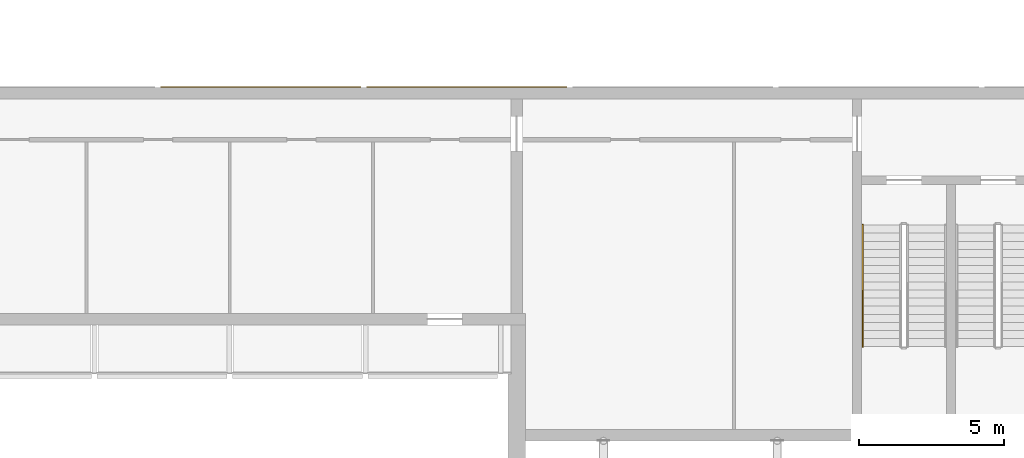
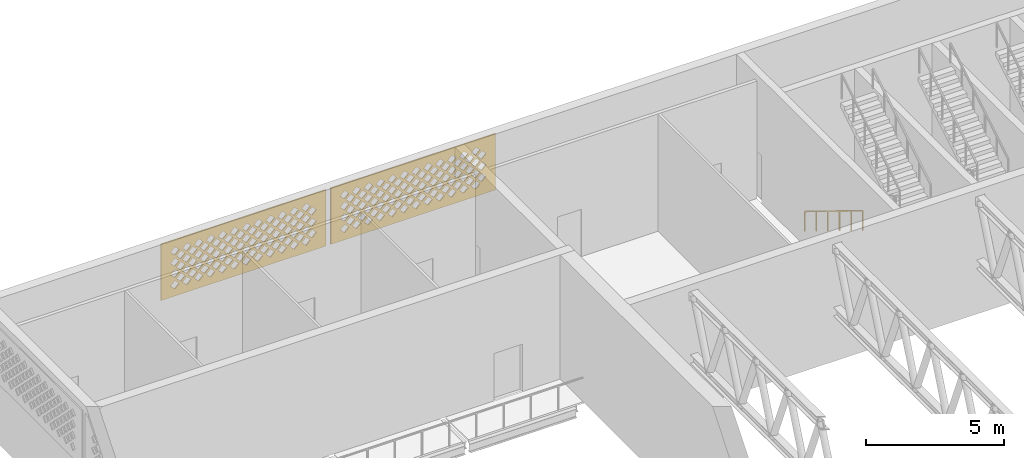
# One storey, part 41 of 69: 2 coverings, 1 railing.
"""IFC4 building model written with IfcOpenShell, lengths in metres."""

import ifcopenshell
import ifcopenshell.guid

model = None  # the IFC model being written
_history = None  # IfcOwnerHistory: only IFC2X3 demands one
_inside = {}  # id of a spatial element -> (the spatial element, [elements in it])
_under = {}  # id of a project, library or spatial element -> (it, [spatial elements below it])
_declared = {}  # id of a project -> (the project, [libraries it declares])
_typed = {}  # id of a type object -> (the type object, [elements of that type])
_made_of = {}  # id of a material, layer set ... -> (it, [elements and type objects made of it])


def new_model(schema):
    """Start an empty IFC model of exactly this schema.

    Asked for "IFC4X3", IfcOpenShell would pick the latest addendum, in which some entities
    have other attributes; the version numbers below select the first issue.
    IFC2X3 requires an IfcOwnerHistory on every rooted entity: one is made here for all.
    """
    global model, _history
    if schema == "IFC4X3":
        model = ifcopenshell.file(schema_version=(4, 3, 0, 0))
    else:
        model = ifcopenshell.file(schema=schema)
    _inside.clear()
    _under.clear()
    _declared.clear()
    _typed.clear()
    _made_of.clear()
    _history = None
    if model.schema == "IFC2X3":
        org = make("IfcOrganization", Name="unknown")
        user = make(
            "IfcPersonAndOrganization",
            ThePerson=make("IfcPerson", FamilyName="unknown"),
            TheOrganization=org,
        )
        app = make(
            "IfcApplication",
            ApplicationDeveloper=org,
            Version="unknown",
            ApplicationFullName="unknown",
            ApplicationIdentifier="unknown",
        )
        _history = make(
            "IfcOwnerHistory",
            OwningUser=user,
            OwningApplication=app,
            ChangeAction="ADDED",
            CreationDate=0,
        )
    return model


def make(cls, **values):
    """One entity of the class cls with the attributes given. An attribute that is None is left unset."""
    return model.create_entity(
        cls, **{name: value for name, value in values.items() if value is not None}
    )


def rooted(cls, **values):
    """An entity with a GlobalId (a new one), such as an element, a storey or a relation."""
    return make(cls, GlobalId=ifcopenshell.guid.new(), OwnerHistory=_history, **values)


def si_unit(unit_type, name, prefix=None):
    """IfcSIUnit, for example si_unit("LENGTHUNIT", "METRE", prefix="MILLI")."""
    return make("IfcSIUnit", UnitType=unit_type, Prefix=prefix, Name=name)


def assignment(units):
    """IfcUnitAssignment: the units of a project."""
    return None if units is None else make("IfcUnitAssignment", Units=units)


def point(xyz):
    """IfcCartesianPoint."""
    return None if xyz is None else make("IfcCartesianPoint", Coordinates=xyz)


def direction(xyz):
    """IfcDirection."""
    return None if xyz is None else make("IfcDirection", DirectionRatios=xyz)


def frame(location, z_axis=None, x_axis=None):
    """IfcAxis2Placement3D, a coordinate frame: its origin and axes. An axis left out is left unset."""
    return make(
        "IfcAxis2Placement3D",
        Location=point(location),
        Axis=direction(z_axis),
        RefDirection=direction(x_axis),
    )


def frame_2d(location, x_axis=None):
    """IfcAxis2Placement2D, a coordinate frame in the plane: its origin and x axis."""
    return make(
        "IfcAxis2Placement2D", Location=point(location), RefDirection=direction(x_axis)
    )


def origin():
    """The frame at (0, 0, 0) with its axes left unset."""
    return frame((0.0, 0.0, 0.0))


def origin_2d():
    """The frame at (0, 0) in the plane with its x axis left unset."""
    return frame_2d((0.0, 0.0))


def place(relative_to, where):
    """IfcLocalPlacement: puts the frame where relative to a parent placement (None: the world)."""
    return make(
        "IfcLocalPlacement", PlacementRelTo=relative_to, RelativePlacement=where
    )


def context(
    kind, dimensions, precision=None, world=None, true_north=None, identifier=None
):
    """IfcGeometricRepresentationContext, for example the 3D "Model" context."""
    return make(
        "IfcGeometricRepresentationContext",
        ContextIdentifier=identifier,
        ContextType=kind,
        CoordinateSpaceDimension=dimensions,
        Precision=precision,
        WorldCoordinateSystem=world,
        TrueNorth=true_north,
    )


def subcontext(parent, identifier, kind, view, scale=None):
    """IfcGeometricRepresentationSubContext, for example "Body" below "Model"."""
    return make(
        "IfcGeometricRepresentationSubContext",
        ContextIdentifier=identifier,
        ContextType=kind,
        ParentContext=parent,
        TargetScale=scale,
        TargetView=view,
    )


def project(units=None, contexts=None):
    """IfcProject with its units and contexts."""
    return rooted(
        "IfcProject",
        Name="project",
        RepresentationContexts=contexts,
        UnitsInContext=assignment(units),
    )


def spatial(cls, under=None, at=None, **own):
    """A site, building, storey or space (cls), placed at a placement, below another one or the project."""
    s = rooted(cls, ObjectPlacement=at, **own)
    if under is not None:
        _under.setdefault(under.id(), (under, []))[1].append(s)
    return s


def polyline(points):
    """IfcPolyline through the points."""
    return make("IfcPolyline", Points=[point(p) for p in points])


def profile(cls, at=None, kind="AREA", **sizes):
    """A parametric profile (cls). Its sizes go by their IFC names, for example OverallWidth=200.0."""
    return make(cls, ProfileType=kind, Position=at, **sizes)


def rectangle(**sizes):
    """IfcRectangleProfileDef."""
    return profile("IfcRectangleProfileDef", **sizes)


def outline(outer, holes=None, kind="AREA"):
    """IfcArbitraryClosedProfileDef: a profile drawn as a closed curve; with holes, ...WithVoids."""
    if holes is None:
        return make("IfcArbitraryClosedProfileDef", ProfileType=kind, OuterCurve=outer)
    return make(
        "IfcArbitraryProfileDefWithVoids",
        ProfileType=kind,
        OuterCurve=outer,
        InnerCurves=holes,
    )


def extrude(swept, where, along, depth):
    """IfcExtrudedAreaSolid: the profile swept, set in the frame where, extruded along a direction by depth."""
    return make(
        "IfcExtrudedAreaSolid",
        SweptArea=swept,
        Position=where,
        ExtrudedDirection=direction(along),
        Depth=depth,
    )


def shape(context_of_items, identifier, shape_type, items):
    """IfcShapeRepresentation: the items that make up one representation, for example the "Body"."""
    return make(
        "IfcShapeRepresentation",
        ContextOfItems=context_of_items,
        RepresentationIdentifier=identifier,
        RepresentationType=shape_type,
        Items=items,
    )


def material(Name=None, Category=None):
    """IfcMaterial."""
    return make("IfcMaterial", Name=Name, Category=Category)


def layer(
    of_material, thickness, ventilated=None, Name=None, Category=None, Priority=None
):
    """IfcMaterialLayer: one layer of a wall or slab, of a material (None: an air gap)."""
    return make(
        "IfcMaterialLayer",
        Material=of_material,
        LayerThickness=thickness,
        IsVentilated=ventilated,
        Name=Name,
        Category=Category,
        Priority=Priority,
    )


def layer_set(layers, Name=None):
    """IfcMaterialLayerSet."""
    return make("IfcMaterialLayerSet", MaterialLayers=layers, LayerSetName=Name)


def made_of(thing, what):
    """Note that an element or type object is made of a material, layer set ...; save() writes the relation."""
    if what is not None:
        _made_of.setdefault(what.id(), (what, []))[1].append(thing)
    return thing


def type_object(cls, material=None, **own):
    """A type object (cls), such as IfcWallType, which elements share."""
    return made_of(rooted(cls, **own), material)


def element(
    cls,
    number,
    at=None,
    inside=None,
    cuts=None,
    type_object=None,
    material=None,
    context=None,
    identifier="Body",
    shape_type=None,
    held_by="IfcProductDefinitionShape",
    body=None,
    shapes=None,
    **own,
):
    """One element of the class cls, such as IfcWall. Its Tag is "e" and its number.

    at: its placement. inside: the storey or other place that contains it. cuts: it is an
    opening in that element (IfcRelVoidsElement). A single representation is given by context,
    identifier, shape_type and body (its items); several are given by shapes. held_by: the class
    of the entity that holds the representations. save() writes the other relations.
    """
    e = rooted(cls, Tag="e%d" % number, ObjectPlacement=at, **own)
    if body is not None:
        shapes = [shape(context, identifier, shape_type, body)]
    if shapes is not None:
        e.Representation = make(held_by, Representations=shapes)
    if inside is not None:
        _inside.setdefault(inside.id(), (inside, []))[1].append(e)
    if cuts is not None:
        rooted(
            "IfcRelVoidsElement", RelatingBuildingElement=cuts, RelatedOpeningElement=e
        )
    if type_object is not None:
        _typed.setdefault(type_object.id(), (type_object, []))[1].append(e)
    return made_of(e, material)


def aggregate(whole, parts):
    """IfcRelAggregates: a whole, such as a stair, and the parts it consists of."""
    return rooted("IfcRelAggregates", RelatingObject=whole, RelatedObjects=parts)


def save(model, path):
    """Write the relations noted so far, then the file.

    IfcRelAggregates (storeys below a building ...), IfcRelContainedInSpatialStructure (elements
    in a storey), IfcRelDefinesByType, IfcRelAssociatesMaterial and IfcRelDeclares: one each for
    every whole, place, type object, material and project.
    """
    for whole, parts in _under.values():
        aggregate(whole, parts)
    for where, things in _inside.values():
        rooted(
            "IfcRelContainedInSpatialStructure",
            RelatedElements=things,
            RelatingStructure=where,
        )
    for kind, things in _typed.values():
        rooted("IfcRelDefinesByType", RelatedObjects=things, RelatingType=kind)
    for what, things in _made_of.values():
        rooted("IfcRelAssociatesMaterial", RelatedObjects=things, RelatingMaterial=what)
    for by, libraries in _declared.values():
        rooted("IfcRelDeclares", RelatingContext=by, RelatedDefinitions=libraries)
    model.write(path)


model = new_model("IFC4")

# Units and contexts
model_context = context("Model", 3, precision=1e-05, world=origin(), true_north=direction((0.0, 1.0)))
body_context = subcontext(model_context, "Body", "Model", "MODEL_VIEW")
ifc_project = project(units=[si_unit("LENGTHUNIT", "METRE"), si_unit("AREAUNIT", "SQUARE_METRE"), si_unit("VOLUMEUNIT", "CUBIC_METRE"), si_unit("PLANEANGLEUNIT", "RADIAN"), si_unit("MASSUNIT", "GRAM", prefix="KILO")], contexts=[model_context])

# Site, building, storey
site_placement = place(None, origin())
site = spatial("IfcSite", under=ifc_project, at=site_placement, CompositionType="ELEMENT")
building_placement = place(site_placement, origin())
building = spatial("IfcBuilding", under=site, at=building_placement, Name="Noorbagh Ring Tower", CompositionType="ELEMENT")
storey_placement = place(building_placement, frame((0.0, 0.0, 19.5)))
storey = spatial("IfcBuildingStorey", under=building, at=storey_placement, Name="L03", CompositionType="ELEMENT", Elevation=19.5)

# Coverings
ifc_material_1 = material(Name="Red sandstone jali", Category="masonry")
ifc_layer = layer(ifc_material_1, 0.0400390625)
ifc_layer_set = layer_set([ifc_layer], Name="Red sandstone jali")
covering_type = type_object("IfcCoveringType", Name="STH-BAND", PredefinedType="USERDEFINED", material=ifc_layer_set)
covering_1_placement = place(storey_placement, frame((-138.2666015625, 31.0400390625, 2.699951171875), z_axis=(0.0, 1.0, 0.0), x_axis=(-1.0, 0.0, 0.0)))
element("IfcCovering", 1, at=covering_1_placement, inside=storey, type_object=covering_type, Name="Jali band", ObjectType="JALI SCREEN", PredefinedType="USERDEFINED", context=body_context, shape_type="SweptSolid", body=[
    extrude(outline(polyline([(0.0, 0.0), (6.9111328125, 0.0), (6.9111328125, 2.5), (0.0, 2.5), (0.0, 0.0)]), holes=[polyline([(0.650634765625, 0.5), (0.83056640625, 0.320068359375), (1.010498046875, 0.5), (0.83056640625, 0.679931640625), (0.650634765625, 0.5)]), polyline([(1.150634765625, 0.5), (1.33056640625, 0.320068359375), (1.510498046875, 0.5), (1.33056640625, 0.679931640625), (1.150634765625, 0.5)]), polyline([(1.650634765625, 0.5), (1.83056640625, 0.320068359375), (2.010498046875, 0.5), (1.83056640625, 0.679931640625), (1.650634765625, 0.5)]), polyline([(2.150634765625, 0.5), (2.33056640625, 0.320068359375), (2.510498046875, 0.5), (2.33056640625, 0.679931640625), (2.150634765625, 0.5)]), polyline([(2.650634765625, 0.5), (2.83056640625, 0.320068359375), (3.010498046875, 0.5), (2.83056640625, 0.679931640625), (2.650634765625, 0.5)]), polyline([(3.150634765625, 0.5), (3.33056640625, 0.320068359375), (3.510498046875, 0.5), (3.33056640625, 0.679931640625), (3.150634765625, 0.5)]), polyline([(3.650634765625, 0.5), (3.83056640625, 0.320068359375), (4.010498046875, 0.5), (3.83056640625, 0.679931640625), (3.650634765625, 0.5)]), polyline([(4.150634765625, 0.5), (4.33056640625, 0.320068359375), (4.510498046875, 0.5), (4.33056640625, 0.679931640625), (4.150634765625, 0.5)]), polyline([(4.650634765625, 0.5), (4.83056640625, 0.320068359375), (5.010498046875, 0.5), (4.83056640625, 0.679931640625), (4.650634765625, 0.5)]), polyline([(5.150634765625, 0.5), (5.33056640625, 0.320068359375), (5.510498046875, 0.5), (5.33056640625, 0.679931640625), (5.150634765625, 0.5)]), polyline([(5.650634765625, 0.5), (5.83056640625, 0.320068359375), (6.010498046875, 0.5), (5.83056640625, 0.679931640625), (5.650634765625, 0.5)]), polyline([(6.150634765625, 0.5), (6.33056640625, 0.320068359375), (6.510498046875, 0.5), (6.33056640625, 0.679931640625), (6.150634765625, 0.5)]), polyline([(0.400634765625, 0.75), (0.58056640625, 0.570068359375), (0.760498046875, 0.75), (0.58056640625, 0.929931640625), (0.400634765625, 0.75)]), polyline([(0.900634765625, 0.75), (1.08056640625, 0.570068359375), (1.260498046875, 0.75), (1.08056640625, 0.929931640625), (0.900634765625, 0.75)]), polyline([(1.400634765625, 0.75), (1.58056640625, 0.570068359375), (1.760498046875, 0.75), (1.58056640625, 0.929931640625), (1.400634765625, 0.75)]), polyline([(1.900634765625, 0.75), (2.08056640625, 0.570068359375), (2.260498046875, 0.75), (2.08056640625, 0.929931640625), (1.900634765625, 0.75)]), polyline([(2.400634765625, 0.75), (2.58056640625, 0.570068359375), (2.760498046875, 0.75), (2.58056640625, 0.929931640625), (2.400634765625, 0.75)]), polyline([(2.900634765625, 0.75), (3.08056640625, 0.570068359375), (3.260498046875, 0.75), (3.08056640625, 0.929931640625), (2.900634765625, 0.75)]), polyline([(3.400634765625, 0.75), (3.58056640625, 0.570068359375), (3.760498046875, 0.75), (3.58056640625, 0.929931640625), (3.400634765625, 0.75)]), polyline([(3.900634765625, 0.75), (4.08056640625, 0.570068359375), (4.260498046875, 0.75), (4.08056640625, 0.929931640625), (3.900634765625, 0.75)]), polyline([(4.400634765625, 0.75), (4.58056640625, 0.570068359375), (4.760498046875, 0.75), (4.58056640625, 0.929931640625), (4.400634765625, 0.75)]), polyline([(4.900634765625, 0.75), (5.08056640625, 0.570068359375), (5.260498046875, 0.75), (5.08056640625, 0.929931640625), (4.900634765625, 0.75)]), polyline([(5.400634765625, 0.75), (5.58056640625, 0.570068359375), (5.760498046875, 0.75), (5.58056640625, 0.929931640625), (5.400634765625, 0.75)]), polyline([(5.900634765625, 0.75), (6.08056640625, 0.570068359375), (6.260498046875, 0.75), (6.08056640625, 0.929931640625), (5.900634765625, 0.75)]), polyline([(0.650634765625, 1.0), (0.83056640625, 0.820068359375), (1.010498046875, 1.0), (0.83056640625, 1.179931640625), (0.650634765625, 1.0)]), polyline([(1.150634765625, 1.0), (1.33056640625, 0.820068359375), (1.510498046875, 1.0), (1.33056640625, 1.179931640625), (1.150634765625, 1.0)]), polyline([(1.650634765625, 1.0), (1.83056640625, 0.820068359375), (2.010498046875, 1.0), (1.83056640625, 1.179931640625), (1.650634765625, 1.0)]), polyline([(2.150634765625, 1.0), (2.33056640625, 0.820068359375), (2.510498046875, 1.0), (2.33056640625, 1.179931640625), (2.150634765625, 1.0)]), polyline([(2.650634765625, 1.0), (2.83056640625, 0.820068359375), (3.010498046875, 1.0), (2.83056640625, 1.179931640625), (2.650634765625, 1.0)]), polyline([(3.150634765625, 1.0), (3.33056640625, 0.820068359375), (3.510498046875, 1.0), (3.33056640625, 1.179931640625), (3.150634765625, 1.0)]), polyline([(3.650634765625, 1.0), (3.83056640625, 0.820068359375), (4.010498046875, 1.0), (3.83056640625, 1.179931640625), (3.650634765625, 1.0)]), polyline([(4.150634765625, 1.0), (4.33056640625, 0.820068359375), (4.510498046875, 1.0), (4.33056640625, 1.179931640625), (4.150634765625, 1.0)]), polyline([(4.650634765625, 1.0), (4.83056640625, 0.820068359375), (5.010498046875, 1.0), (4.83056640625, 1.179931640625), (4.650634765625, 1.0)]), polyline([(5.150634765625, 1.0), (5.33056640625, 0.820068359375), (5.510498046875, 1.0), (5.33056640625, 1.179931640625), (5.150634765625, 1.0)]), polyline([(5.650634765625, 1.0), (5.83056640625, 0.820068359375), (6.010498046875, 1.0), (5.83056640625, 1.179931640625), (5.650634765625, 1.0)]), polyline([(6.150634765625, 1.0), (6.33056640625, 0.820068359375), (6.510498046875, 1.0), (6.33056640625, 1.179931640625), (6.150634765625, 1.0)]), polyline([(0.400634765625, 1.25), (0.58056640625, 1.070068359375), (0.760498046875, 1.25), (0.58056640625, 1.429931640625), (0.400634765625, 1.25)]), polyline([(0.900634765625, 1.25), (1.08056640625, 1.070068359375), (1.260498046875, 1.25), (1.08056640625, 1.429931640625), (0.900634765625, 1.25)]), polyline([(1.400634765625, 1.25), (1.58056640625, 1.070068359375), (1.760498046875, 1.25), (1.58056640625, 1.429931640625), (1.400634765625, 1.25)]), polyline([(1.900634765625, 1.25), (2.08056640625, 1.070068359375), (2.260498046875, 1.25), (2.08056640625, 1.429931640625), (1.900634765625, 1.25)]), polyline([(2.400634765625, 1.25), (2.58056640625, 1.070068359375), (2.760498046875, 1.25), (2.58056640625, 1.429931640625), (2.400634765625, 1.25)]), polyline([(2.900634765625, 1.25), (3.08056640625, 1.070068359375), (3.260498046875, 1.25), (3.08056640625, 1.429931640625), (2.900634765625, 1.25)]), polyline([(3.400634765625, 1.25), (3.58056640625, 1.070068359375), (3.760498046875, 1.25), (3.58056640625, 1.429931640625), (3.400634765625, 1.25)]), polyline([(3.900634765625, 1.25), (4.08056640625, 1.070068359375), (4.260498046875, 1.25), (4.08056640625, 1.429931640625), (3.900634765625, 1.25)]), polyline([(4.400634765625, 1.25), (4.58056640625, 1.070068359375), (4.760498046875, 1.25), (4.58056640625, 1.429931640625), (4.400634765625, 1.25)]), polyline([(4.900634765625, 1.25), (5.08056640625, 1.070068359375), (5.260498046875, 1.25), (5.08056640625, 1.429931640625), (4.900634765625, 1.25)]), polyline([(5.400634765625, 1.25), (5.58056640625, 1.070068359375), (5.760498046875, 1.25), (5.58056640625, 1.429931640625), (5.400634765625, 1.25)]), polyline([(5.900634765625, 1.25), (6.08056640625, 1.070068359375), (6.260498046875, 1.25), (6.08056640625, 1.429931640625), (5.900634765625, 1.25)]), polyline([(0.650634765625, 1.5), (0.83056640625, 1.320068359375), (1.010498046875, 1.5), (0.83056640625, 1.679931640625), (0.650634765625, 1.5)]), polyline([(1.150634765625, 1.5), (1.33056640625, 1.320068359375), (1.510498046875, 1.5), (1.33056640625, 1.679931640625), (1.150634765625, 1.5)]), polyline([(1.650634765625, 1.5), (1.83056640625, 1.320068359375), (2.010498046875, 1.5), (1.83056640625, 1.679931640625), (1.650634765625, 1.5)]), polyline([(2.150634765625, 1.5), (2.33056640625, 1.320068359375), (2.510498046875, 1.5), (2.33056640625, 1.679931640625), (2.150634765625, 1.5)]), polyline([(2.650634765625, 1.5), (2.83056640625, 1.320068359375), (3.010498046875, 1.5), (2.83056640625, 1.679931640625), (2.650634765625, 1.5)]), polyline([(3.150634765625, 1.5), (3.33056640625, 1.320068359375), (3.510498046875, 1.5), (3.33056640625, 1.679931640625), (3.150634765625, 1.5)]), polyline([(3.650634765625, 1.5), (3.83056640625, 1.320068359375), (4.010498046875, 1.5), (3.83056640625, 1.679931640625), (3.650634765625, 1.5)]), polyline([(4.150634765625, 1.5), (4.33056640625, 1.320068359375), (4.510498046875, 1.5), (4.33056640625, 1.679931640625), (4.150634765625, 1.5)]), polyline([(4.650634765625, 1.5), (4.83056640625, 1.320068359375), (5.010498046875, 1.5), (4.83056640625, 1.679931640625), (4.650634765625, 1.5)]), polyline([(5.150634765625, 1.5), (5.33056640625, 1.320068359375), (5.510498046875, 1.5), (5.33056640625, 1.679931640625), (5.150634765625, 1.5)]), polyline([(5.650634765625, 1.5), (5.83056640625, 1.320068359375), (6.010498046875, 1.5), (5.83056640625, 1.679931640625), (5.650634765625, 1.5)]), polyline([(6.150634765625, 1.5), (6.33056640625, 1.320068359375), (6.510498046875, 1.5), (6.33056640625, 1.679931640625), (6.150634765625, 1.5)]), polyline([(0.400634765625, 1.75), (0.58056640625, 1.570068359375), (0.760498046875, 1.75), (0.58056640625, 1.929931640625), (0.400634765625, 1.75)]), polyline([(0.900634765625, 1.75), (1.08056640625, 1.570068359375), (1.260498046875, 1.75), (1.08056640625, 1.929931640625), (0.900634765625, 1.75)]), polyline([(1.400634765625, 1.75), (1.58056640625, 1.570068359375), (1.760498046875, 1.75), (1.58056640625, 1.929931640625), (1.400634765625, 1.75)]), polyline([(1.900634765625, 1.75), (2.08056640625, 1.570068359375), (2.260498046875, 1.75), (2.08056640625, 1.929931640625), (1.900634765625, 1.75)]), polyline([(2.400634765625, 1.75), (2.58056640625, 1.570068359375), (2.760498046875, 1.75), (2.58056640625, 1.929931640625), (2.400634765625, 1.75)]), polyline([(2.900634765625, 1.75), (3.08056640625, 1.570068359375), (3.260498046875, 1.75), (3.08056640625, 1.929931640625), (2.900634765625, 1.75)]), polyline([(3.400634765625, 1.75), (3.58056640625, 1.570068359375), (3.760498046875, 1.75), (3.58056640625, 1.929931640625), (3.400634765625, 1.75)]), polyline([(3.900634765625, 1.75), (4.08056640625, 1.570068359375), (4.260498046875, 1.75), (4.08056640625, 1.929931640625), (3.900634765625, 1.75)]), polyline([(4.400634765625, 1.75), (4.58056640625, 1.570068359375), (4.760498046875, 1.75), (4.58056640625, 1.929931640625), (4.400634765625, 1.75)]), polyline([(4.900634765625, 1.75), (5.08056640625, 1.570068359375), (5.260498046875, 1.75), (5.08056640625, 1.929931640625), (4.900634765625, 1.75)]), polyline([(5.400634765625, 1.75), (5.58056640625, 1.570068359375), (5.760498046875, 1.75), (5.58056640625, 1.929931640625), (5.400634765625, 1.75)]), polyline([(5.900634765625, 1.75), (6.08056640625, 1.570068359375), (6.260498046875, 1.75), (6.08056640625, 1.929931640625), (5.900634765625, 1.75)]), polyline([(0.650634765625, 2.0), (0.83056640625, 1.820068359375), (1.010498046875, 2.0), (0.83056640625, 2.179931640625), (0.650634765625, 2.0)]), polyline([(1.150634765625, 2.0), (1.33056640625, 1.820068359375), (1.510498046875, 2.0), (1.33056640625, 2.179931640625), (1.150634765625, 2.0)]), polyline([(1.650634765625, 2.0), (1.83056640625, 1.820068359375), (2.010498046875, 2.0), (1.83056640625, 2.179931640625), (1.650634765625, 2.0)]), polyline([(2.150634765625, 2.0), (2.33056640625, 1.820068359375), (2.510498046875, 2.0), (2.33056640625, 2.179931640625), (2.150634765625, 2.0)]), polyline([(2.650634765625, 2.0), (2.83056640625, 1.820068359375), (3.010498046875, 2.0), (2.83056640625, 2.179931640625), (2.650634765625, 2.0)]), polyline([(3.150634765625, 2.0), (3.33056640625, 1.820068359375), (3.510498046875, 2.0), (3.33056640625, 2.179931640625), (3.150634765625, 2.0)]), polyline([(3.650634765625, 2.0), (3.83056640625, 1.820068359375), (4.010498046875, 2.0), (3.83056640625, 2.179931640625), (3.650634765625, 2.0)]), polyline([(4.150634765625, 2.0), (4.33056640625, 1.820068359375), (4.510498046875, 2.0), (4.33056640625, 2.179931640625), (4.150634765625, 2.0)]), polyline([(4.650634765625, 2.0), (4.83056640625, 1.820068359375), (5.010498046875, 2.0), (4.83056640625, 2.179931640625), (4.650634765625, 2.0)]), polyline([(5.150634765625, 2.0), (5.33056640625, 1.820068359375), (5.510498046875, 2.0), (5.33056640625, 2.179931640625), (5.150634765625, 2.0)]), polyline([(5.650634765625, 2.0), (5.83056640625, 1.820068359375), (6.010498046875, 2.0), (5.83056640625, 2.179931640625), (5.650634765625, 2.0)]), polyline([(6.150634765625, 2.0), (6.33056640625, 1.820068359375), (6.510498046875, 2.0), (6.33056640625, 2.179931640625), (6.150634765625, 2.0)])]), origin(), (0.0, 0.0, -1.0), 0.0400390625),
])
covering_2_placement = place(storey_placement, frame((-145.377685546875, 31.0400390625, 2.699951171875), z_axis=(0.0, 1.0, 0.0), x_axis=(-1.0, 0.0, 0.0)))
element("IfcCovering", 2, at=covering_2_placement, inside=storey, type_object=covering_type, Name="Jali band", ObjectType="JALI SCREEN", PredefinedType="USERDEFINED", context=body_context, shape_type="SweptSolid", body=[
    extrude(outline(polyline([(0.0, 0.0), (6.9111328125, 0.0), (6.9111328125, 2.5), (0.0, 2.5), (0.0, 0.0)]), holes=[polyline([(0.650634765625, 0.5), (0.83056640625, 0.320068359375), (1.010498046875, 0.5), (0.83056640625, 0.679931640625), (0.650634765625, 0.5)]), polyline([(1.150634765625, 0.5), (1.33056640625, 0.320068359375), (1.510498046875, 0.5), (1.33056640625, 0.679931640625), (1.150634765625, 0.5)]), polyline([(1.650634765625, 0.5), (1.83056640625, 0.320068359375), (2.010498046875, 0.5), (1.83056640625, 0.679931640625), (1.650634765625, 0.5)]), polyline([(2.150634765625, 0.5), (2.33056640625, 0.320068359375), (2.510498046875, 0.5), (2.33056640625, 0.679931640625), (2.150634765625, 0.5)]), polyline([(2.650634765625, 0.5), (2.83056640625, 0.320068359375), (3.010498046875, 0.5), (2.83056640625, 0.679931640625), (2.650634765625, 0.5)]), polyline([(3.150634765625, 0.5), (3.33056640625, 0.320068359375), (3.510498046875, 0.5), (3.33056640625, 0.679931640625), (3.150634765625, 0.5)]), polyline([(3.650634765625, 0.5), (3.83056640625, 0.320068359375), (4.010498046875, 0.5), (3.83056640625, 0.679931640625), (3.650634765625, 0.5)]), polyline([(4.150634765625, 0.5), (4.33056640625, 0.320068359375), (4.510498046875, 0.5), (4.33056640625, 0.679931640625), (4.150634765625, 0.5)]), polyline([(4.650634765625, 0.5), (4.83056640625, 0.320068359375), (5.010498046875, 0.5), (4.83056640625, 0.679931640625), (4.650634765625, 0.5)]), polyline([(5.150634765625, 0.5), (5.33056640625, 0.320068359375), (5.510498046875, 0.5), (5.33056640625, 0.679931640625), (5.150634765625, 0.5)]), polyline([(5.650634765625, 0.5), (5.83056640625, 0.320068359375), (6.010498046875, 0.5), (5.83056640625, 0.679931640625), (5.650634765625, 0.5)]), polyline([(6.150634765625, 0.5), (6.33056640625, 0.320068359375), (6.510498046875, 0.5), (6.33056640625, 0.679931640625), (6.150634765625, 0.5)]), polyline([(0.400634765625, 0.75), (0.58056640625, 0.570068359375), (0.760498046875, 0.75), (0.58056640625, 0.929931640625), (0.400634765625, 0.75)]), polyline([(0.900634765625, 0.75), (1.08056640625, 0.570068359375), (1.260498046875, 0.75), (1.08056640625, 0.929931640625), (0.900634765625, 0.75)]), polyline([(1.400634765625, 0.75), (1.58056640625, 0.570068359375), (1.760498046875, 0.75), (1.58056640625, 0.929931640625), (1.400634765625, 0.75)]), polyline([(1.900634765625, 0.75), (2.08056640625, 0.570068359375), (2.260498046875, 0.75), (2.08056640625, 0.929931640625), (1.900634765625, 0.75)]), polyline([(2.400634765625, 0.75), (2.58056640625, 0.570068359375), (2.760498046875, 0.75), (2.58056640625, 0.929931640625), (2.400634765625, 0.75)]), polyline([(2.900634765625, 0.75), (3.08056640625, 0.570068359375), (3.260498046875, 0.75), (3.08056640625, 0.929931640625), (2.900634765625, 0.75)]), polyline([(3.400634765625, 0.75), (3.58056640625, 0.570068359375), (3.760498046875, 0.75), (3.58056640625, 0.929931640625), (3.400634765625, 0.75)]), polyline([(3.900634765625, 0.75), (4.08056640625, 0.570068359375), (4.260498046875, 0.75), (4.08056640625, 0.929931640625), (3.900634765625, 0.75)]), polyline([(4.400634765625, 0.75), (4.58056640625, 0.570068359375), (4.760498046875, 0.75), (4.58056640625, 0.929931640625), (4.400634765625, 0.75)]), polyline([(4.900634765625, 0.75), (5.08056640625, 0.570068359375), (5.260498046875, 0.75), (5.08056640625, 0.929931640625), (4.900634765625, 0.75)]), polyline([(5.400634765625, 0.75), (5.58056640625, 0.570068359375), (5.760498046875, 0.75), (5.58056640625, 0.929931640625), (5.400634765625, 0.75)]), polyline([(5.900634765625, 0.75), (6.08056640625, 0.570068359375), (6.260498046875, 0.75), (6.08056640625, 0.929931640625), (5.900634765625, 0.75)]), polyline([(0.650634765625, 1.0), (0.83056640625, 0.820068359375), (1.010498046875, 1.0), (0.83056640625, 1.179931640625), (0.650634765625, 1.0)]), polyline([(1.150634765625, 1.0), (1.33056640625, 0.820068359375), (1.510498046875, 1.0), (1.33056640625, 1.179931640625), (1.150634765625, 1.0)]), polyline([(1.650634765625, 1.0), (1.83056640625, 0.820068359375), (2.010498046875, 1.0), (1.83056640625, 1.179931640625), (1.650634765625, 1.0)]), polyline([(2.150634765625, 1.0), (2.33056640625, 0.820068359375), (2.510498046875, 1.0), (2.33056640625, 1.179931640625), (2.150634765625, 1.0)]), polyline([(2.650634765625, 1.0), (2.83056640625, 0.820068359375), (3.010498046875, 1.0), (2.83056640625, 1.179931640625), (2.650634765625, 1.0)]), polyline([(3.150634765625, 1.0), (3.33056640625, 0.820068359375), (3.510498046875, 1.0), (3.33056640625, 1.179931640625), (3.150634765625, 1.0)]), polyline([(3.650634765625, 1.0), (3.83056640625, 0.820068359375), (4.010498046875, 1.0), (3.83056640625, 1.179931640625), (3.650634765625, 1.0)]), polyline([(4.150634765625, 1.0), (4.33056640625, 0.820068359375), (4.510498046875, 1.0), (4.33056640625, 1.179931640625), (4.150634765625, 1.0)]), polyline([(4.650634765625, 1.0), (4.83056640625, 0.820068359375), (5.010498046875, 1.0), (4.83056640625, 1.179931640625), (4.650634765625, 1.0)]), polyline([(5.150634765625, 1.0), (5.33056640625, 0.820068359375), (5.510498046875, 1.0), (5.33056640625, 1.179931640625), (5.150634765625, 1.0)]), polyline([(5.650634765625, 1.0), (5.83056640625, 0.820068359375), (6.010498046875, 1.0), (5.83056640625, 1.179931640625), (5.650634765625, 1.0)]), polyline([(6.150634765625, 1.0), (6.33056640625, 0.820068359375), (6.510498046875, 1.0), (6.33056640625, 1.179931640625), (6.150634765625, 1.0)]), polyline([(0.400634765625, 1.25), (0.58056640625, 1.070068359375), (0.760498046875, 1.25), (0.58056640625, 1.429931640625), (0.400634765625, 1.25)]), polyline([(0.900634765625, 1.25), (1.08056640625, 1.070068359375), (1.260498046875, 1.25), (1.08056640625, 1.429931640625), (0.900634765625, 1.25)]), polyline([(1.400634765625, 1.25), (1.58056640625, 1.070068359375), (1.760498046875, 1.25), (1.58056640625, 1.429931640625), (1.400634765625, 1.25)]), polyline([(1.900634765625, 1.25), (2.08056640625, 1.070068359375), (2.260498046875, 1.25), (2.08056640625, 1.429931640625), (1.900634765625, 1.25)]), polyline([(2.400634765625, 1.25), (2.58056640625, 1.070068359375), (2.760498046875, 1.25), (2.58056640625, 1.429931640625), (2.400634765625, 1.25)]), polyline([(2.900634765625, 1.25), (3.08056640625, 1.070068359375), (3.260498046875, 1.25), (3.08056640625, 1.429931640625), (2.900634765625, 1.25)]), polyline([(3.400634765625, 1.25), (3.58056640625, 1.070068359375), (3.760498046875, 1.25), (3.58056640625, 1.429931640625), (3.400634765625, 1.25)]), polyline([(3.900634765625, 1.25), (4.08056640625, 1.070068359375), (4.260498046875, 1.25), (4.08056640625, 1.429931640625), (3.900634765625, 1.25)]), polyline([(4.400634765625, 1.25), (4.58056640625, 1.070068359375), (4.760498046875, 1.25), (4.58056640625, 1.429931640625), (4.400634765625, 1.25)]), polyline([(4.900634765625, 1.25), (5.08056640625, 1.070068359375), (5.260498046875, 1.25), (5.08056640625, 1.429931640625), (4.900634765625, 1.25)]), polyline([(5.400634765625, 1.25), (5.58056640625, 1.070068359375), (5.760498046875, 1.25), (5.58056640625, 1.429931640625), (5.400634765625, 1.25)]), polyline([(5.900634765625, 1.25), (6.08056640625, 1.070068359375), (6.260498046875, 1.25), (6.08056640625, 1.429931640625), (5.900634765625, 1.25)]), polyline([(0.650634765625, 1.5), (0.83056640625, 1.320068359375), (1.010498046875, 1.5), (0.83056640625, 1.679931640625), (0.650634765625, 1.5)]), polyline([(1.150634765625, 1.5), (1.33056640625, 1.320068359375), (1.510498046875, 1.5), (1.33056640625, 1.679931640625), (1.150634765625, 1.5)]), polyline([(1.650634765625, 1.5), (1.83056640625, 1.320068359375), (2.010498046875, 1.5), (1.83056640625, 1.679931640625), (1.650634765625, 1.5)]), polyline([(2.150634765625, 1.5), (2.33056640625, 1.320068359375), (2.510498046875, 1.5), (2.33056640625, 1.679931640625), (2.150634765625, 1.5)]), polyline([(2.650634765625, 1.5), (2.83056640625, 1.320068359375), (3.010498046875, 1.5), (2.83056640625, 1.679931640625), (2.650634765625, 1.5)]), polyline([(3.150634765625, 1.5), (3.33056640625, 1.320068359375), (3.510498046875, 1.5), (3.33056640625, 1.679931640625), (3.150634765625, 1.5)]), polyline([(3.650634765625, 1.5), (3.83056640625, 1.320068359375), (4.010498046875, 1.5), (3.83056640625, 1.679931640625), (3.650634765625, 1.5)]), polyline([(4.150634765625, 1.5), (4.33056640625, 1.320068359375), (4.510498046875, 1.5), (4.33056640625, 1.679931640625), (4.150634765625, 1.5)]), polyline([(4.650634765625, 1.5), (4.83056640625, 1.320068359375), (5.010498046875, 1.5), (4.83056640625, 1.679931640625), (4.650634765625, 1.5)]), polyline([(5.150634765625, 1.5), (5.33056640625, 1.320068359375), (5.510498046875, 1.5), (5.33056640625, 1.679931640625), (5.150634765625, 1.5)]), polyline([(5.650634765625, 1.5), (5.83056640625, 1.320068359375), (6.010498046875, 1.5), (5.83056640625, 1.679931640625), (5.650634765625, 1.5)]), polyline([(6.150634765625, 1.5), (6.33056640625, 1.320068359375), (6.510498046875, 1.5), (6.33056640625, 1.679931640625), (6.150634765625, 1.5)]), polyline([(0.400634765625, 1.75), (0.58056640625, 1.570068359375), (0.760498046875, 1.75), (0.58056640625, 1.929931640625), (0.400634765625, 1.75)]), polyline([(0.900634765625, 1.75), (1.08056640625, 1.570068359375), (1.260498046875, 1.75), (1.08056640625, 1.929931640625), (0.900634765625, 1.75)]), polyline([(1.400634765625, 1.75), (1.58056640625, 1.570068359375), (1.760498046875, 1.75), (1.58056640625, 1.929931640625), (1.400634765625, 1.75)]), polyline([(1.900634765625, 1.75), (2.08056640625, 1.570068359375), (2.260498046875, 1.75), (2.08056640625, 1.929931640625), (1.900634765625, 1.75)]), polyline([(2.400634765625, 1.75), (2.58056640625, 1.570068359375), (2.760498046875, 1.75), (2.58056640625, 1.929931640625), (2.400634765625, 1.75)]), polyline([(2.900634765625, 1.75), (3.08056640625, 1.570068359375), (3.260498046875, 1.75), (3.08056640625, 1.929931640625), (2.900634765625, 1.75)]), polyline([(3.400634765625, 1.75), (3.58056640625, 1.570068359375), (3.760498046875, 1.75), (3.58056640625, 1.929931640625), (3.400634765625, 1.75)]), polyline([(3.900634765625, 1.75), (4.08056640625, 1.570068359375), (4.260498046875, 1.75), (4.08056640625, 1.929931640625), (3.900634765625, 1.75)]), polyline([(4.400634765625, 1.75), (4.58056640625, 1.570068359375), (4.760498046875, 1.75), (4.58056640625, 1.929931640625), (4.400634765625, 1.75)]), polyline([(4.900634765625, 1.75), (5.08056640625, 1.570068359375), (5.260498046875, 1.75), (5.08056640625, 1.929931640625), (4.900634765625, 1.75)]), polyline([(5.400634765625, 1.75), (5.58056640625, 1.570068359375), (5.760498046875, 1.75), (5.58056640625, 1.929931640625), (5.400634765625, 1.75)]), polyline([(5.900634765625, 1.75), (6.08056640625, 1.570068359375), (6.260498046875, 1.75), (6.08056640625, 1.929931640625), (5.900634765625, 1.75)]), polyline([(0.650634765625, 2.0), (0.83056640625, 1.820068359375), (1.010498046875, 2.0), (0.83056640625, 2.179931640625), (0.650634765625, 2.0)]), polyline([(1.150634765625, 2.0), (1.33056640625, 1.820068359375), (1.510498046875, 2.0), (1.33056640625, 2.179931640625), (1.150634765625, 2.0)]), polyline([(1.650634765625, 2.0), (1.83056640625, 1.820068359375), (2.010498046875, 2.0), (1.83056640625, 2.179931640625), (1.650634765625, 2.0)]), polyline([(2.150634765625, 2.0), (2.33056640625, 1.820068359375), (2.510498046875, 2.0), (2.33056640625, 2.179931640625), (2.150634765625, 2.0)]), polyline([(2.650634765625, 2.0), (2.83056640625, 1.820068359375), (3.010498046875, 2.0), (2.83056640625, 2.179931640625), (2.650634765625, 2.0)]), polyline([(3.150634765625, 2.0), (3.33056640625, 1.820068359375), (3.510498046875, 2.0), (3.33056640625, 2.179931640625), (3.150634765625, 2.0)]), polyline([(3.650634765625, 2.0), (3.83056640625, 1.820068359375), (4.010498046875, 2.0), (3.83056640625, 2.179931640625), (3.650634765625, 2.0)]), polyline([(4.150634765625, 2.0), (4.33056640625, 1.820068359375), (4.510498046875, 2.0), (4.33056640625, 2.179931640625), (4.150634765625, 2.0)]), polyline([(4.650634765625, 2.0), (4.83056640625, 1.820068359375), (5.010498046875, 2.0), (4.83056640625, 2.179931640625), (4.650634765625, 2.0)]), polyline([(5.150634765625, 2.0), (5.33056640625, 1.820068359375), (5.510498046875, 2.0), (5.33056640625, 2.179931640625), (5.150634765625, 2.0)]), polyline([(5.650634765625, 2.0), (5.83056640625, 1.820068359375), (6.010498046875, 2.0), (5.83056640625, 2.179931640625), (5.650634765625, 2.0)]), polyline([(6.150634765625, 2.0), (6.33056640625, 1.820068359375), (6.510498046875, 2.0), (6.33056640625, 2.179931640625), (6.150634765625, 2.0)])]), origin(), (0.0, 0.0, -1.0), 0.0400390625),
])

# Railing
ifc_material_2 = material(Name="Stainless steel", Category="steel")
railing_type = type_object("IfcRailingType", Name="TH-STAIR-HANDRAIL", PredefinedType="HANDRAIL", material=ifc_material_2)
railing_placement = place(storey_placement, frame((-128.050048828125, 26.25, 0.171875)))
element("IfcRailing", 3, at=railing_placement, inside=storey, type_object=railing_type, Name="L03 TSN3 stair handrail 1", PredefinedType="HANDRAIL", context=body_context, shape_type="SweptSolid", body=[
    extrude(rectangle(XDim=0.048095703125, YDim=0.048095703125, at=origin_2d()), frame((0.0, 0.0, 0.8759765625), z_axis=(0.0, -0.852242915053, 0.523146264196), x_axis=(1.0, 0.0, 0.0)), (0.0, 0.0, 1.0), 4.92822265625),
    extrude(rectangle(XDim=0.0419921875, YDim=0.0419921875, at=origin_2d()), origin(), (0.0, 0.0, 1.0), 0.851806640625),
    extrude(rectangle(XDim=0.0419921875, YDim=0.0419921875, at=origin_2d()), frame((0.0, -0.840087890625, 0.515625)), (0.0, 0.0, 1.0), 0.851806640625),
    extrude(rectangle(XDim=0.0419921875, YDim=0.0419921875, at=origin_2d()), frame((0.0, -1.679931640625, 1.03125)), (0.0, 0.0, 1.0), 0.851806640625),
    extrude(rectangle(XDim=0.0419921875, YDim=0.0419921875, at=origin_2d()), frame((0.0, -2.52001953125, 1.546875)), (0.0, 0.0, 1.0), 0.851806640625),
    extrude(rectangle(XDim=0.0419921875, YDim=0.0419921875, at=origin_2d()), frame((0.0, -3.35986328125, 2.0625)), (0.0, 0.0, 1.0), 0.851806640625),
    extrude(rectangle(XDim=0.0419921875, YDim=0.0419921875, at=origin_2d()), frame((0.0, -4.199951171875, 2.578125)), (0.0, 0.0, 1.0), 0.851806640625),
])

save(model, "model.ifc")
